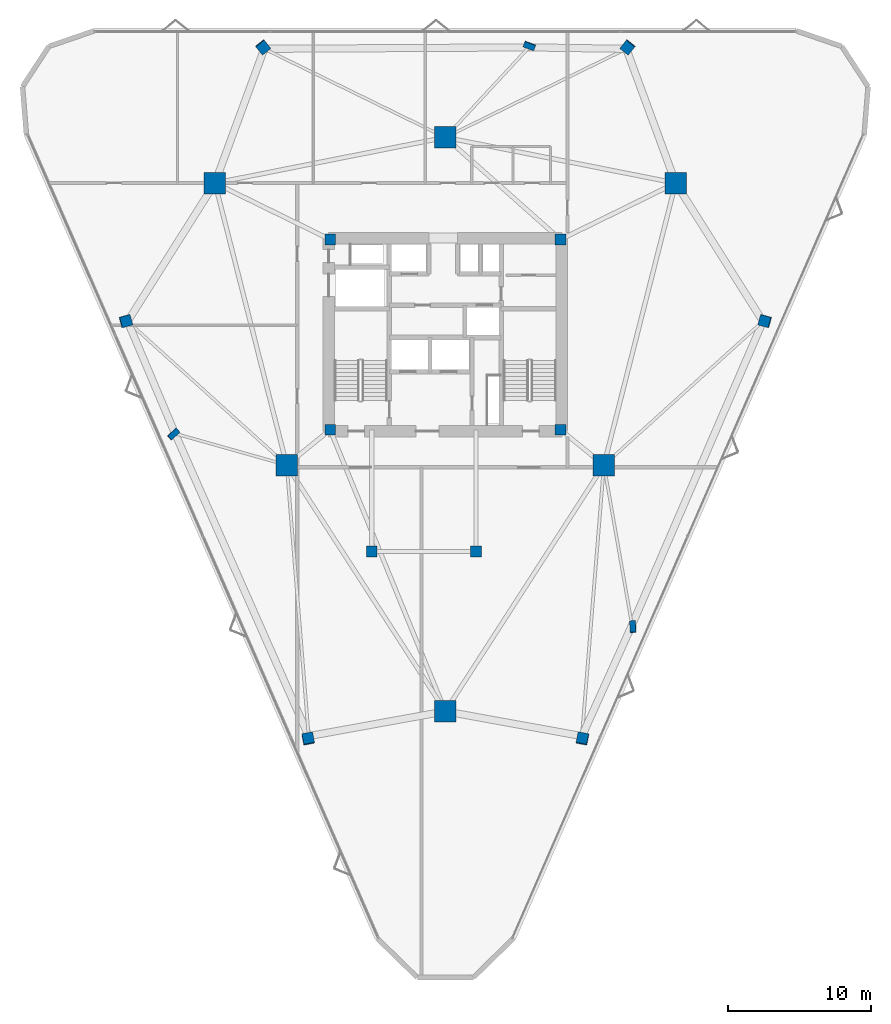
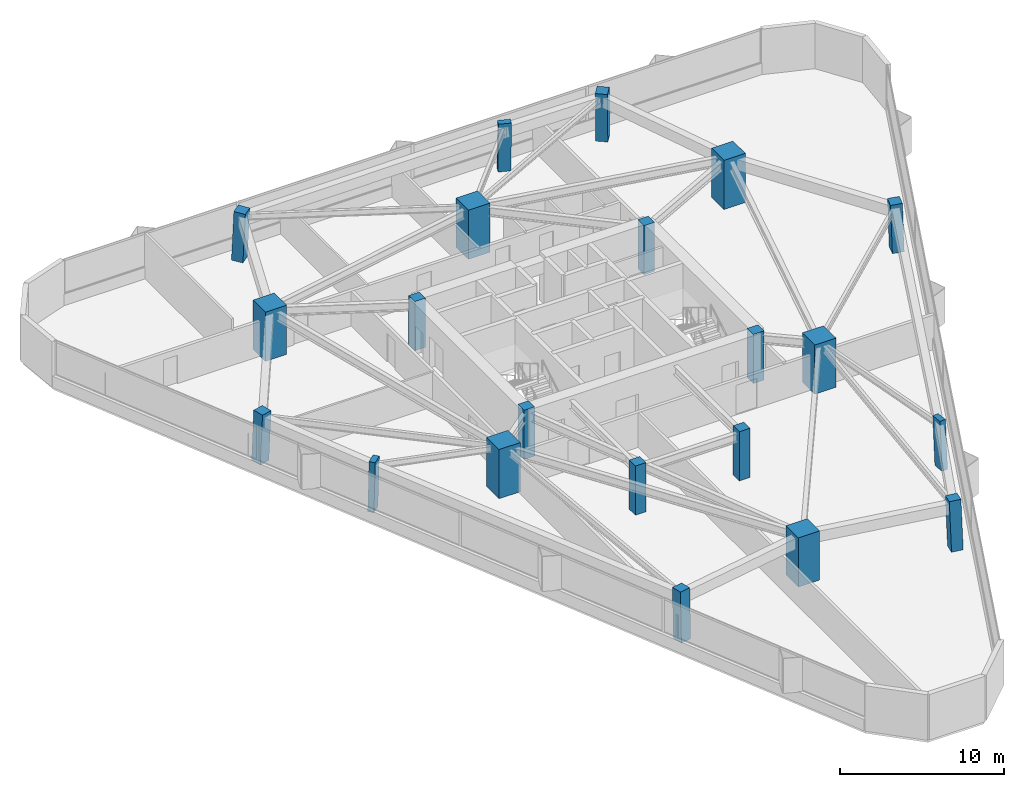
# One storey, part 1 of 15: 21 columns.
"""IFC4 building model written with IfcOpenShell, lengths in metres."""

from ifc_helpers import new_model, si_unit, direction, frame, origin, origin_2d, place, context, subcontext, project, spatial, rectangle, extrude, material, material_profile, profile_set, type_object, element, save


model = new_model("IFC4")

# Units and contexts
model_context = context("Model", 3, precision=1e-05, world=origin(), true_north=direction((0.0, 1.0)))
body_context = subcontext(model_context, "Body", "Model", "MODEL_VIEW")
ifc_project = project(units=[si_unit("LENGTHUNIT", "METRE"), si_unit("AREAUNIT", "SQUARE_METRE"), si_unit("VOLUMEUNIT", "CUBIC_METRE"), si_unit("PLANEANGLEUNIT", "RADIAN"), si_unit("MASSUNIT", "GRAM", prefix="KILO")], contexts=[model_context])

# Site, building, storey
site_placement = place(None, origin())
site = spatial("IfcSite", under=ifc_project, at=site_placement, CompositionType="ELEMENT")
building_placement = place(site_placement, origin())
building = spatial("IfcBuilding", under=site, at=building_placement, Name="Talyreon Biosciences Tower", CompositionType="ELEMENT")
storey_placement = place(building_placement, frame((0.0, 0.0, 127.199951171875)))
storey = spatial("IfcBuildingStorey", under=building, at=storey_placement, Name="L33", CompositionType="ELEMENT", Elevation=127.199951171875)

# Columns
ifc_material_1 = material(Name="Precast concrete C45/55", Category="concrete")
ifc_material_profile_1 = material_profile(ifc_material_1, rectangle(XDim=0.800048828125, YDim=0.39990234375, at=origin_2d()), Name="RC 800x400")
ifc_profile_set_1 = profile_set([ifc_material_profile_1], Name="Precast concrete C45/55")
column_type_1 = type_object("IfcColumnType", Name="FacadePilaster_800x400", PredefinedType="PILASTER", material=ifc_profile_set_1)
column_1_placement = place(storey_placement, frame((79.122314453125, 47.561279296875, 0.0029296875), z_axis=(-0.019611953815, 0.038353752683, 0.999071749637), x_axis=(0.0606725483, -0.997376656941, 0.039479691885)))
element("IfcColumn", 1, at=column_1_placement, inside=storey, type_object=column_type_1, Name="L33 Facade Pilaster PL-SE", PredefinedType="PILASTER", context=body_context, shape_type="SweptSolid", body=[
    extrude(rectangle(XDim=0.800048828125, YDim=0.39990234375, at=origin_2d()), origin(), (0.0, 0.0, 1.0), 3.6474609375),
])
column_2_placement = place(storey_placement, frame((71.885498046875, 88.202880859375, 0.0029296875), z_axis=(-0.012386580681, -0.033477245085, 0.999362720278), x_axis=(-0.937861842681, 0.347008881792, 0.0)))
element("IfcColumn", 2, at=column_2_placement, inside=storey, type_object=column_type_1, Name="L33 Facade Pilaster PL-N", PredefinedType="PILASTER", context=body_context, shape_type="SweptSolid", body=[
    extrude(rectangle(XDim=0.800048828125, YDim=0.39990234375, at=origin_2d()), origin(), (0.0, 0.0, 1.0), 3.646484375),
])
column_3_placement = place(storey_placement, frame((46.9921875, 61.04443359375, 0.0029296875), z_axis=(0.032006454348, 0.010579539303, 0.999431668614), x_axis=(0.74413173798, 0.667318130053, -0.030894495196)))
element("IfcColumn", 3, at=column_3_placement, inside=storey, type_object=column_type_1, Name="L33 Facade Pilaster PL-SW", PredefinedType="PILASTER", context=body_context, shape_type="SweptSolid", body=[
    extrude(rectangle(XDim=0.800048828125, YDim=0.39990234375, at=origin_2d()), origin(), (0.0, 0.0, 1.0), 3.64599609375),
])
ifc_material_2 = material(Name="Concrete C60/75", Category="concrete")
ifc_material_profile_2 = material_profile(ifc_material_2, rectangle(XDim=1.5, YDim=1.5, at=origin_2d()), Name="RC 1500x1500")
ifc_profile_set_2 = profile_set([ifc_material_profile_2], Name="Concrete C60/75")
column_type_2 = type_object("IfcColumnType", Name="MegaColumn_1500", PredefinedType="COLUMN", material=ifc_profile_set_2)
for number, where, z_axis, x_axis, name in (
    (4, (66.0, 41.6669921875, 0.0), (0.0, 0.0, 1.0), (1.0, 0.0, 0.0), "L33 Composite Mega-Column MC1"),
    (5, (82.102294921875, 78.5986328125, 0.0), (0.0, 0.0, 1.0), (1.0, 0.0, 0.0), "L33 Composite Mega-Column MC2"),
    (6, (49.897705078125, 78.5986328125, 0.0), (0.0, 0.0, 1.0), (1.0, 0.0, 0.0), "L33 Composite Mega-Column MC3"),
    (7, (77.086181640625, 58.88037109375, 0.0), (0.0, 0.0, 1.0), (1.0, 0.0, 0.0), "L33 Composite Mega-Column MC4"),
    (8, (66.0, 81.788818359375, 0.0), (0.0, 0.0, 1.0), (1.0, 0.0, 0.0), "L33 Composite Mega-Column MC5"),
    (9, (54.913818359375, 58.88037109375, 0.0), (0.0, 0.0, 1.0), (1.0, 0.0, 0.0), "L33 Composite Mega-Column MC6"),
):
    element("IfcColumn", number, at=place(storey_placement, frame(where, z_axis=z_axis, x_axis=x_axis)), inside=storey, type_object=column_type_2, Name=name, PredefinedType="COLUMN", context=body_context, shape_type="SweptSolid", body=[
        extrude(rectangle(XDim=1.5, YDim=1.5, at=origin_2d()), origin(), (0.0, 0.0, 1.0), 3.650146484375),
    ])
ifc_material_3 = material(Name="Concrete C50/60", Category="concrete")
ifc_material_profile_3 = material_profile(ifc_material_3, rectangle(XDim=0.75, YDim=0.75, at=origin_2d()), Name="RC 750x750")
ifc_profile_set_3 = profile_set([ifc_material_profile_3], Name="Concrete C50/60")
column_type_3 = type_object("IfcColumnType", Name="PerimeterColumn_750", PredefinedType="COLUMN", material=ifc_profile_set_3)
for number, where, z_axis, x_axis, name in (
    (10, (57.949951171875, 61.35009765625, 0.0), (0.0, 0.0, 1.0), (1.0, 0.0, 0.0), "L33 Core Column CC1"),
    (11, (74.050048828125, 61.35009765625, 0.0), (0.0, 0.0, 1.0), (1.0, 0.0, 0.0), "L33 Core Column CC2"),
    (12, (74.050048828125, 74.64990234375, 0.0), (0.0, 0.0, 1.0), (1.0, 0.0, 0.0), "L33 Core Column CC3"),
    (13, (57.949951171875, 74.64990234375, 0.0), (0.0, 0.0, 1.0), (1.0, 0.0, 0.0), "L33 Core Column CC4"),
    (14, (60.85009765625, 52.840087890625, 0.0), (0.0, 0.0, 1.0), (1.0, 0.0, 0.0), "L33 Core Column CSW"),
    (15, (68.14990234375, 52.840087890625, 0.0), (0.0, 0.0, 1.0), (1.0, 0.0, 0.0), "L33 Core Column CSE"),
):
    element("IfcColumn", number, at=place(storey_placement, frame(where, z_axis=z_axis, x_axis=x_axis)), inside=storey, type_object=column_type_3, Name=name, PredefinedType="COLUMN", context=body_context, shape_type="SweptSolid", body=[
        extrude(rectangle(XDim=0.75, YDim=0.75, at=origin_2d()), origin(), (0.0, 0.0, 1.0), 3.650146484375),
    ])
column_4_placement = place(storey_placement, frame((75.597412109375, 39.736083984375, 0.0029296875), z_axis=(-0.012375096162, 0.054517315524, 0.998436136818), x_axis=(-0.18757733561, -0.980912666973, 0.051235563212)))
element("IfcColumn", 16, at=column_4_placement, inside=storey, type_object=column_type_3, Name="L33 Tapering Perimeter Column PC-SE1", PredefinedType="COLUMN", context=body_context, shape_type="SweptSolid", body=[
    extrude(rectangle(XDim=0.75, YDim=0.75, at=origin_2d()), origin(), (0.0, 0.0, 1.0), 3.649658203125),
])
column_5_placement = place(storey_placement, frame((88.349365234375, 68.94970703125, 0.0029296875), z_axis=(-0.039229493406, -0.00569028488, 0.999214024874), x_axis=(0.963712059799, -0.264460249095, 0.036329635929)))
element("IfcColumn", 17, at=column_5_placement, inside=storey, type_object=column_type_3, Name="L33 Tapering Perimeter Column PC-SE2", PredefinedType="COLUMN", context=body_context, shape_type="SweptSolid", body=[
    extrude(rectangle(XDim=0.75, YDim=0.75, at=origin_2d()), origin(), (0.0, 0.0, 1.0), 3.64697265625),
])
for number, where, z_axis, x_axis, name in (
    (18, (78.751953125, 88.10302734375, 0.0029296875), (-0.026841076243, -0.033534611465, 0.999077067328), (-0.780716755404, 0.624885067698, 0.0), "L33 Tapering Perimeter Column PC-N1"),
    (19, (53.248046875, 88.10302734375, 0.0029296875), (0.026841076243, -0.033534611465, 0.999077067328), (-0.780716755404, -0.624885067698, 0.0), "L33 Tapering Perimeter Column PC-N2"),
):
    element("IfcColumn", number, at=place(storey_placement, frame(where, z_axis=z_axis, x_axis=x_axis)), inside=storey, type_object=column_type_3, Name=name, PredefinedType="COLUMN", context=body_context, shape_type="SweptSolid", body=[
        extrude(rectangle(XDim=0.75, YDim=0.75, at=origin_2d()), origin(), (0.0, 0.0, 1.0), 3.6474609375),
    ])
column_6_placement = place(storey_placement, frame((43.650634765625, 68.94970703125, 0.0029296875), z_axis=(0.039229493406, -0.00569028488, 0.999214024874), x_axis=(0.963712059799, 0.264460249095, -0.036329635929)))
element("IfcColumn", 20, at=column_6_placement, inside=storey, type_object=column_type_3, Name="L33 Tapering Perimeter Column PC-SW1", PredefinedType="COLUMN", context=body_context, shape_type="SweptSolid", body=[
    extrude(rectangle(XDim=0.75, YDim=0.75, at=origin_2d()), origin(), (0.0, 0.0, 1.0), 3.64697265625),
])
column_7_placement = place(storey_placement, frame((56.402587890625, 39.736083984375, 0.0029296875), z_axis=(0.012375096162, 0.054517315524, 0.998436136818), x_axis=(-0.18757733561, 0.980912666973, -0.051235563212)))
element("IfcColumn", 21, at=column_7_placement, inside=storey, type_object=column_type_3, Name="L33 Tapering Perimeter Column PC-SW2", PredefinedType="COLUMN", context=body_context, shape_type="SweptSolid", body=[
    extrude(rectangle(XDim=0.75, YDim=0.75, at=origin_2d()), origin(), (0.0, 0.0, 1.0), 3.649658203125),
])

save(model, "model.ifc")
